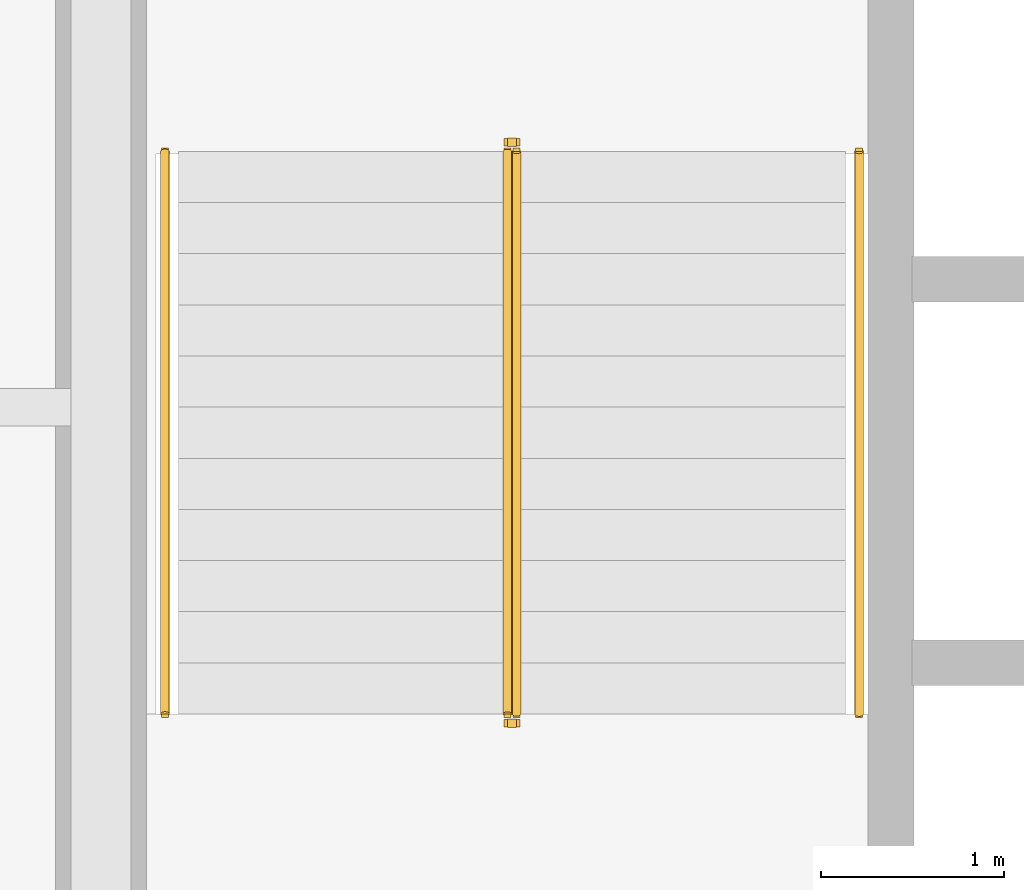
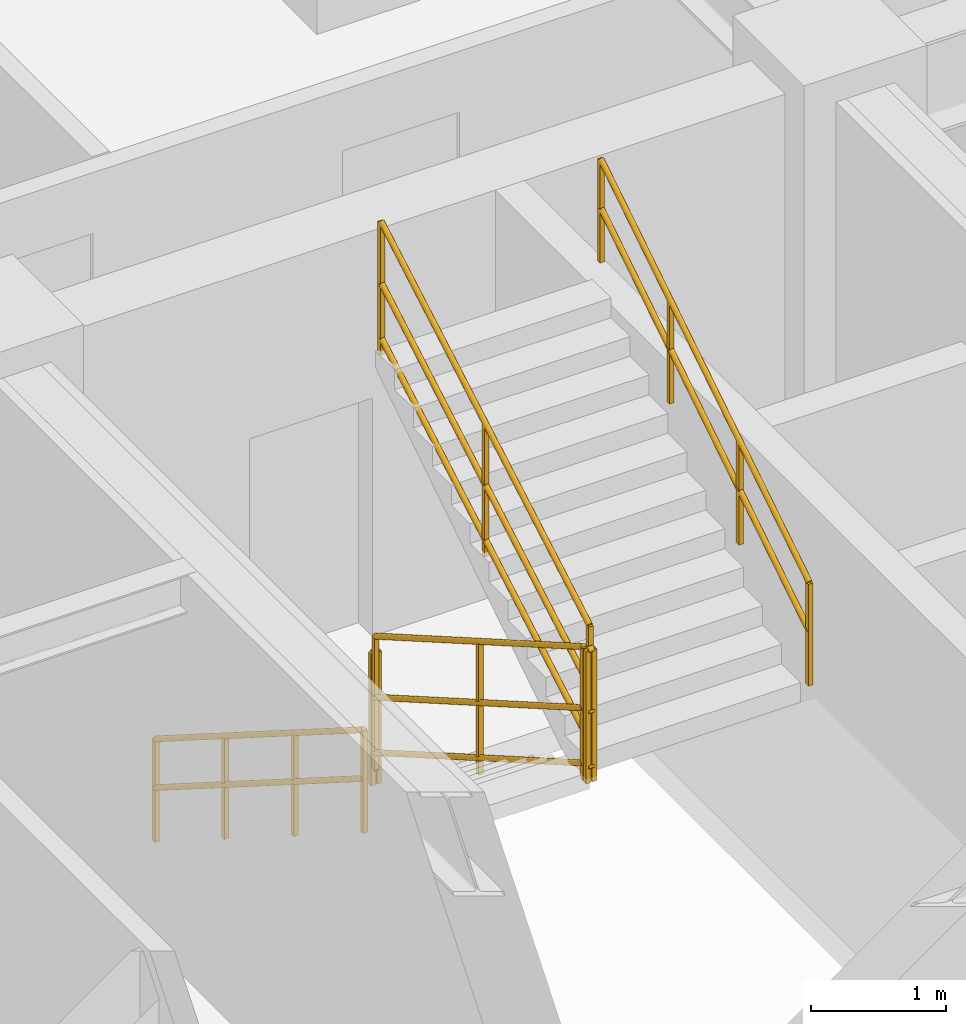
# One storey, part 10 of 10: 6 railings.
"""IFC4 building model written with IfcOpenShell, lengths in metres."""

from ifc_helpers import new_model, entity, si_unit, converted_unit, direction, frame, origin_with_axes, origin_2d_with_axis, place, context, subcontext, project, spatial, rectangle, circle, extrude, material, type_object, element, save


model = new_model("IFC4")

# Units and contexts
model_context = context("Model", 3, precision=1e-05, world=origin_with_axes(), true_north=direction((0.0, 1.0)))
body_context = subcontext(model_context, "Body", "Model", "MODEL_VIEW")
ifc_project = project(units=[si_unit("LENGTHUNIT", "METRE"), si_unit("AREAUNIT", "SQUARE_METRE"), si_unit("VOLUMEUNIT", "CUBIC_METRE"), converted_unit("PLANEANGLEUNIT", "DEGREE", entity("IfcPlaneAngleMeasure", 0.017453292519943295), si_unit("PLANEANGLEUNIT", "RADIAN"), dimensions=[0, 0, 0, 0, 0, 0, 0]), si_unit("MASSUNIT", "GRAM", prefix="KILO"), si_unit("THERMODYNAMICTEMPERATUREUNIT", "KELVIN")], contexts=[model_context])

# Site, building, storey
site_placement = place(None, origin_with_axes())
site = spatial("IfcSite", under=ifc_project, at=site_placement, CompositionType="ELEMENT")
building_placement = place(site_placement, origin_with_axes())
building = spatial("IfcBuilding", under=site, at=building_placement, Name="Varnlund Millrace Tower", CompositionType="ELEMENT")
storey_placement = place(building_placement, frame((0.0, 0.0, 148.5), z_axis=(0.0, 0.0, 1.0), x_axis=(1.0, 0.0, 0.0)))
storey = spatial("IfcBuildingStorey", under=building, at=storey_placement, Name="L36", CompositionType="ELEMENT", Elevation=148.5)

# Railings
ifc_material_1 = material(Name="Painted steel stair well balustrade guard", Category="steel")
railing_type_1 = type_object("IfcRailingType", Name="Type-StairGuard-1150", PredefinedType="GUARDRAIL", material=ifc_material_1)
railing_1_placement = place(storey_placement, frame((0.0, 0.0, -148.5), z_axis=(0.0, 0.0, 1.0), x_axis=(1.0, 0.0, 0.0)))
element("IfcRailing", 1, at=railing_1_placement, inside=storey, type_object=railing_type_1, Name="Type-StairGuard-1150", PredefinedType="GUARDRAIL", context=body_context, shape_type="SweptSolid", body=[
    extrude(circle(Radius=0.024, at=origin_2d_with_axis()), frame((13.625, 35.9, 149.827273), z_axis=(0.0, -0.866696, 0.498836), x_axis=(1.0, 0.0, 0.0)), (0.0, 0.0, 1.0), 3.553725),
    extrude(circle(Radius=0.024, at=origin_2d_with_axis()), frame((13.625, 35.9, 148.777273), z_axis=(0.0, -0.866696, 0.498836), x_axis=(1.0, 0.0, 0.0)), (0.0, 0.0, 1.0), 3.553725),
    extrude(circle(Radius=0.024, at=origin_2d_with_axis()), frame((13.625, 35.9, 149.275273), z_axis=(0.0, -0.866696, 0.498836), x_axis=(1.0, 0.0, 0.0)), (0.0, 0.0, 1.0), 3.553725),
    extrude(rectangle(XDim=0.04, YDim=0.04, at=origin_2d_with_axis()), frame((13.625, 35.9, 148.637273), z_axis=(0.0, 0.0, 1.0), x_axis=(1.0, 0.0, 0.0)), (0.0, 0.0, 1.0), 1.19),
    extrude(rectangle(XDim=0.04, YDim=0.04, at=origin_2d_with_axis()), frame((13.625, 34.36, 149.523637), z_axis=(0.0, 0.0, 1.0), x_axis=(1.0, 0.0, 0.0)), (0.0, 0.0, 1.0), 1.19),
    extrude(rectangle(XDim=0.04, YDim=0.04, at=origin_2d_with_axis()), frame((13.625, 32.82, 150.41), z_axis=(0.0, 0.0, 1.0), x_axis=(1.0, 0.0, 0.0)), (0.0, 0.0, 1.0), 1.19),
])
railing_2_placement = place(storey_placement, frame((0.0, 0.0, -148.5), z_axis=(0.0, 0.0, 1.0), x_axis=(1.0, 0.0, 0.0)))
element("IfcRailing", 2, at=railing_2_placement, inside=storey, type_object=railing_type_1, Name="Type-StairGuard-1150", PredefinedType="GUARDRAIL", context=body_context, shape_type="SweptSolid", body=[
    extrude(circle(Radius=0.024, at=origin_2d_with_axis()), frame((13.675, 32.77, 151.6), z_axis=(-1.0, 0.0, 0.0), x_axis=(0.0, -1.0, 0.0)), (0.0, 0.0, 1.0), 0.05),
    extrude(circle(Radius=0.024, at=origin_2d_with_axis()), frame((13.675, 32.77, 150.55), z_axis=(-1.0, 0.0, 0.0), x_axis=(0.0, -1.0, 0.0)), (0.0, 0.0, 1.0), 0.05),
    extrude(circle(Radius=0.024, at=origin_2d_with_axis()), frame((13.675, 32.77, 151.048), z_axis=(-1.0, 0.0, 0.0), x_axis=(0.0, -1.0, 0.0)), (0.0, 0.0, 1.0), 0.05),
    extrude(rectangle(XDim=0.04, YDim=0.04, at=origin_2d_with_axis()), frame((13.675, 32.77, 150.41), z_axis=(0.0, 0.0, 1.0), x_axis=(1.0, 0.0, 0.0)), (0.0, 0.0, 1.0), 1.19),
    extrude(rectangle(XDim=0.04, YDim=0.04, at=origin_2d_with_axis()), frame((13.625, 32.77, 150.41), z_axis=(0.0, 0.0, 1.0), x_axis=(1.0, 0.0, 0.0)), (0.0, 0.0, 1.0), 1.19),
])
railing_3_placement = place(storey_placement, frame((0.0, 0.0, -148.5), z_axis=(0.0, 0.0, 1.0), x_axis=(1.0, 0.0, 0.0)))
element("IfcRailing", 3, at=railing_3_placement, inside=storey, type_object=railing_type_1, Name="Type-StairGuard-1150", PredefinedType="GUARDRAIL", context=body_context, shape_type="SweptSolid", body=[
    extrude(circle(Radius=0.024, at=origin_2d_with_axis()), frame((13.675, 32.82, 151.777273), z_axis=(0.0, 0.866696, 0.498836), x_axis=(-1.0, 0.0, 0.0)), (0.0, 0.0, 1.0), 3.553725),
    extrude(circle(Radius=0.024, at=origin_2d_with_axis()), frame((13.675, 32.82, 150.727273), z_axis=(0.0, 0.866696, 0.498836), x_axis=(-1.0, 0.0, 0.0)), (0.0, 0.0, 1.0), 3.553725),
    extrude(circle(Radius=0.024, at=origin_2d_with_axis()), frame((13.675, 32.82, 151.225273), z_axis=(0.0, 0.866696, 0.498836), x_axis=(-1.0, 0.0, 0.0)), (0.0, 0.0, 1.0), 3.553725),
    extrude(rectangle(XDim=0.04, YDim=0.04, at=origin_2d_with_axis()), frame((13.675, 32.82, 150.587273), z_axis=(0.0, 0.0, 1.0), x_axis=(1.0, 0.0, 0.0)), (0.0, 0.0, 1.0), 1.19),
    extrude(rectangle(XDim=0.04, YDim=0.04, at=origin_2d_with_axis()), frame((13.675, 34.36, 151.473637), z_axis=(0.0, 0.0, 1.0), x_axis=(1.0, 0.0, 0.0)), (0.0, 0.0, 1.0), 1.19),
    extrude(rectangle(XDim=0.04, YDim=0.04, at=origin_2d_with_axis()), frame((13.675, 35.9, 152.36), z_axis=(0.0, 0.0, 1.0), x_axis=(1.0, 0.0, 0.0)), (0.0, 0.0, 1.0), 1.19),
])
railing_4_placement = place(storey_placement, frame((0.0, 0.0, -148.5), z_axis=(0.0, 0.0, 1.0), x_axis=(1.0, 0.0, 0.0)))
element("IfcRailing", 4, at=railing_4_placement, inside=storey, type_object=railing_type_1, Name="Type-StairGuard-1150", PredefinedType="GUARDRAIL", context=body_context, shape_type="SweptSolid", body=[
    extrude(circle(Radius=0.024, at=origin_2d_with_axis()), frame((13.675, 35.95, 149.65), z_axis=(-1.0, 0.0, 0.0), x_axis=(0.0, -1.0, 0.0)), (0.0, 0.0, 1.0), 0.05),
    extrude(circle(Radius=0.024, at=origin_2d_with_axis()), frame((13.675, 35.95, 148.6), z_axis=(-1.0, 0.0, 0.0), x_axis=(0.0, -1.0, 0.0)), (0.0, 0.0, 1.0), 0.05),
    extrude(circle(Radius=0.024, at=origin_2d_with_axis()), frame((13.675, 35.95, 149.098), z_axis=(-1.0, 0.0, 0.0), x_axis=(0.0, -1.0, 0.0)), (0.0, 0.0, 1.0), 0.05),
    extrude(rectangle(XDim=0.04, YDim=0.04, at=origin_2d_with_axis()), frame((13.675, 35.95, 148.46), z_axis=(0.0, 0.0, 1.0), x_axis=(1.0, 0.0, 0.0)), (0.0, 0.0, 1.0), 1.19),
    extrude(rectangle(XDim=0.04, YDim=0.04, at=origin_2d_with_axis()), frame((13.625, 35.95, 148.46), z_axis=(0.0, 0.0, 1.0), x_axis=(1.0, 0.0, 0.0)), (0.0, 0.0, 1.0), 1.19),
])
ifc_material_2 = material(Name="Brushed architectural bronze stair handrail", Category="aluminium")
railing_type_2 = type_object("IfcRailingType", Name="Type-StairHandrail-900", PredefinedType="HANDRAIL", material=ifc_material_2)
railing_5_placement = place(storey_placement, frame((0.0, 0.0, -148.5), z_axis=(0.0, 0.0, 1.0), x_axis=(1.0, 0.0, 0.0)))
element("IfcRailing", 5, at=railing_5_placement, inside=storey, type_object=railing_type_2, Name="Type-StairHandrail-900", PredefinedType="HANDRAIL", context=body_context, shape_type="SweptSolid", body=[
    extrude(circle(Radius=0.024, at=origin_2d_with_axis()), frame((11.75, 35.9, 149.556995), z_axis=(0.0, -0.844902, 0.534922), x_axis=(1.0, 0.0, 0.0)), (0.0, 0.0, 1.0), 3.645394),
    extrude(circle(Radius=0.024, at=origin_2d_with_axis()), frame((11.75, 35.9, 149.117134), z_axis=(0.0, -0.844902, 0.534922), x_axis=(1.0, 0.0, 0.0)), (0.0, 0.0, 1.0), 3.645394),
    extrude(rectangle(XDim=0.04, YDim=0.04, at=origin_2d_with_axis()), frame((11.75, 35.9, 148.637273), z_axis=(0.0, 0.0, 1.0), x_axis=(1.0, 0.0, 0.0)), (0.0, 0.0, 1.0), 0.919722),
    extrude(rectangle(XDim=0.04, YDim=0.04, at=origin_2d_with_axis()), frame((11.75, 34.873333, 149.287273), z_axis=(0.0, 0.0, 1.0), x_axis=(1.0, 0.0, 0.0)), (0.0, 0.0, 1.0), 0.919722),
    extrude(rectangle(XDim=0.04, YDim=0.04, at=origin_2d_with_axis()), frame((11.75, 33.846667, 149.937273), z_axis=(0.0, 0.0, 1.0), x_axis=(1.0, 0.0, 0.0)), (0.0, 0.0, 1.0), 0.919722),
    extrude(rectangle(XDim=0.04, YDim=0.04, at=origin_2d_with_axis()), frame((11.75, 32.82, 150.587273), z_axis=(0.0, 0.0, 1.0), x_axis=(1.0, 0.0, 0.0)), (0.0, 0.0, 1.0), 0.919722),
])
railing_6_placement = place(storey_placement, frame((0.0, 0.0, -148.5), z_axis=(0.0, 0.0, 1.0), x_axis=(1.0, 0.0, 0.0)))
element("IfcRailing", 6, at=railing_6_placement, inside=storey, type_object=railing_type_2, Name="Type-StairHandrail-900", PredefinedType="HANDRAIL", context=body_context, shape_type="SweptSolid", body=[
    extrude(circle(Radius=0.024, at=origin_2d_with_axis()), frame((15.55, 32.82, 151.506995), z_axis=(0.0, 0.844902, 0.534922), x_axis=(-1.0, 0.0, 0.0)), (0.0, 0.0, 1.0), 3.645394),
    extrude(circle(Radius=0.024, at=origin_2d_with_axis()), frame((15.55, 32.82, 151.067134), z_axis=(0.0, 0.844902, 0.534922), x_axis=(-1.0, 0.0, 0.0)), (0.0, 0.0, 1.0), 3.645394),
    extrude(rectangle(XDim=0.04, YDim=0.04, at=origin_2d_with_axis()), frame((15.55, 32.82, 150.587273), z_axis=(0.0, 0.0, 1.0), x_axis=(1.0, 0.0, 0.0)), (0.0, 0.0, 1.0), 0.919722),
    extrude(rectangle(XDim=0.04, YDim=0.04, at=origin_2d_with_axis()), frame((15.55, 33.846667, 151.237273), z_axis=(0.0, 0.0, 1.0), x_axis=(1.0, 0.0, 0.0)), (0.0, 0.0, 1.0), 0.919722),
    extrude(rectangle(XDim=0.04, YDim=0.04, at=origin_2d_with_axis()), frame((15.55, 34.873333, 151.887273), z_axis=(0.0, 0.0, 1.0), x_axis=(1.0, 0.0, 0.0)), (0.0, 0.0, 1.0), 0.919722),
    extrude(rectangle(XDim=0.04, YDim=0.04, at=origin_2d_with_axis()), frame((15.55, 35.9, 152.537273), z_axis=(0.0, 0.0, 1.0), x_axis=(1.0, 0.0, 0.0)), (0.0, 0.0, 1.0), 0.919722),
])

save(model, "model.ifc")
